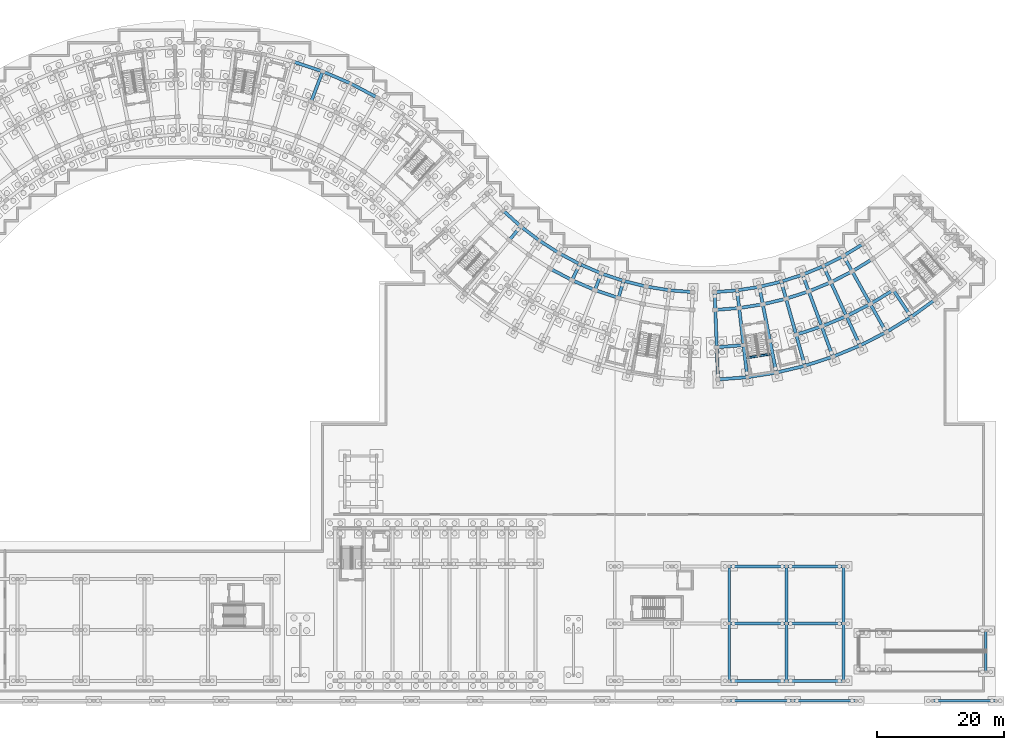
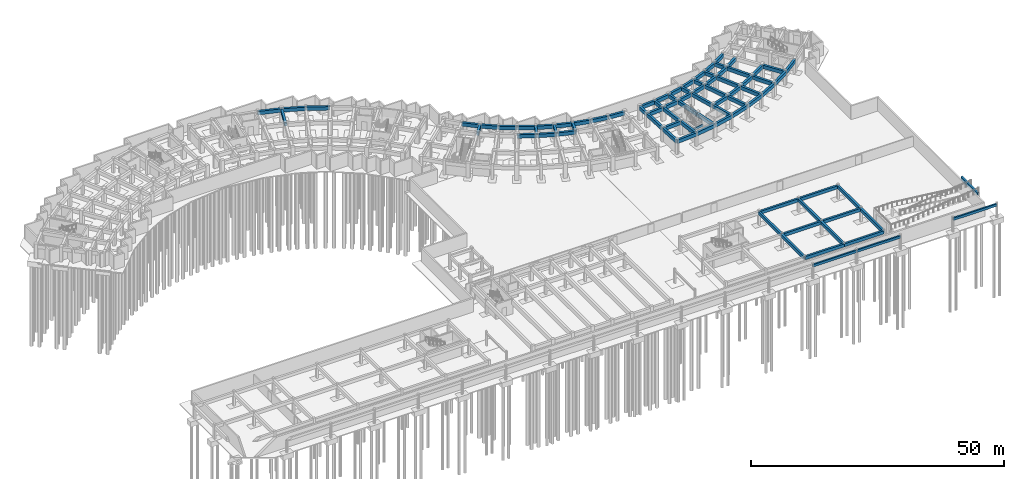
# One storey, part 14 of 32: 86 beams.
"""IFC4 building model written with IfcOpenShell, lengths in metres."""

from ifc_helpers import new_model, si_unit, direction, frame, origin, origin_2d, place, context, subcontext, project, spatial, rectangle, extrude, material, material_profile, profile_set, type_object, element, save


model = new_model("IFC4")

# Units and contexts
model_context = context("Model", 3, precision=1e-05, world=origin(), true_north=direction((0.0, 1.0)))
body_context = subcontext(model_context, "Body", "Model", "MODEL_VIEW")
ifc_project = project(units=[si_unit("LENGTHUNIT", "METRE"), si_unit("AREAUNIT", "SQUARE_METRE"), si_unit("VOLUMEUNIT", "CUBIC_METRE"), si_unit("PLANEANGLEUNIT", "RADIAN"), si_unit("MASSUNIT", "GRAM", prefix="KILO")], contexts=[model_context])

# Site, building, storey
site_placement = place(None, origin())
site = spatial("IfcSite", under=ifc_project, at=site_placement, CompositionType="ELEMENT")
building_placement = place(site_placement, origin())
building = spatial("IfcBuilding", under=site, at=building_placement, Name="Zimvara Arc Housing Community", CompositionType="ELEMENT")
storey_placement = place(building_placement, frame((0.0, 0.0, -3.60009765625)))
storey = spatial("IfcBuildingStorey", under=building, at=storey_placement, Name="B1", CompositionType="ELEMENT", Elevation=-3.60009765625)

# Beams
ifc_material_1 = material(Name="Concrete C40/50", Category="concrete")
ifc_material_profile_1 = material_profile(ifc_material_1, rectangle(XDim=0.300048828125, YDim=0.5, at=origin_2d()), Name="RC 300x500")
ifc_profile_set_1 = profile_set([ifc_material_profile_1], Name="Concrete C40/50")
beam_type_1 = type_object("IfcBeamType", Name="BM-RC-300x500", PredefinedType="BEAM", material=ifc_profile_set_1)
beam_1_placement = place(storey_placement, frame((132.899169921875, 54.451904296875, 1.550048828125), z_axis=(0.987823881982, 0.155576277709, 0.0), x_axis=(-0.155576277709, 0.987823881982, 0.0)))
element("IfcBeam", 1, at=beam_1_placement, inside=storey, type_object=beam_type_1, Name="bm:stair_trim:ST-D1:B1:mid", PredefinedType="BEAM", context=body_context, shape_type="SweptSolid", body=[
    extrude(rectangle(XDim=0.300048828125, YDim=0.5, at=origin_2d()), origin(), (0.0, 0.0, 1.0), 3.570068359375),
])
ifc_material_2 = material(Name="Concrete C40/50", Category="concrete")
ifc_material_profile_2 = material_profile(ifc_material_2, rectangle(XDim=0.35009765625, YDim=0.60009765625, at=origin_2d()), Name="RC 350x600")
ifc_profile_set_2 = profile_set([ifc_material_profile_2], Name="Concrete C40/50")
beam_type_2 = type_object("IfcBeamType", Name="BM-RC-350x600", PredefinedType="BEAM", material=ifc_profile_set_2)
for number, where, z_axis, x_axis, name in (
    (2, (130.0, 0.449951171875, 3.0), (1.0, 0.0, 0.0), (0.0, 1.0, 0.0), "bm:colonnade:B1:s1:130"),
    (3, (140.0, 0.449951171875, 3.0), (1.0, 0.0, 0.0), (0.0, 1.0, 0.0), "bm:colonnade:B1:s1:140"),
    (4, (162.0, 0.449951171875, 3.0), (1.0, 0.0, 0.0), (0.0, 1.0, 0.0), "bm:colonnade:B1:s2:162"),
):
    element("IfcBeam", number, at=place(storey_placement, frame(where, z_axis=z_axis, x_axis=x_axis)), inside=storey, type_object=beam_type_2, Name=name, PredefinedType="BEAM", context=body_context, shape_type="SweptSolid", body=[
        extrude(rectangle(XDim=0.35009765625, YDim=0.60009765625, at=origin_2d()), origin(), (0.0, 0.0, 1.0), 10.0),
    ])
ifc_material_3 = material(Name="Concrete C40/50", Category="concrete")
ifc_material_profile_3 = material_profile(ifc_material_3, rectangle(XDim=0.39990234375, YDim=0.699951171875, at=origin_2d()), Name="RC 400x700")
ifc_profile_set_3 = profile_set([ifc_material_profile_3], Name="Concrete C40/50")
beam_type_3 = type_object("IfcBeamType", Name="BM-RC-400x700", PredefinedType="BEAM", material=ifc_profile_set_3)
beam_2_placement = place(storey_placement, frame((170.3798828125, 5.0, 3.35009765625), z_axis=(0.0, 1.0, 0.0), x_axis=(-1.0, 0.0, 0.0)))
element("IfcBeam", 5, at=beam_2_placement, inside=storey, type_object=beam_type_3, Name="bm:B1:ramp_top_hdr", PredefinedType="BEAM", context=body_context, shape_type="SweptSolid", body=[
    extrude(rectangle(XDim=0.39990234375, YDim=0.699951171875, at=origin_2d()), origin(), (0.0, 0.0, 1.0), 6.5),
])
ifc_material_4 = material(Name="Concrete C40/50", Category="concrete")
ifc_material_profile_4 = material_profile(ifc_material_4, rectangle(XDim=0.449951171875, YDim=0.75, at=origin_2d()), Name="RC 450x750")
ifc_profile_set_4 = profile_set([ifc_material_profile_4], Name="Concrete C40/50")
beam_type_4 = type_object("IfcBeamType", Name="BM-RC-450x750", PredefinedType="BEAM", material=ifc_profile_set_4)
for number, where, z_axis, x_axis, name in (
    (6, (130.0, 3.60009765625, 2.925048828125), (1.0, 0.0, 0.0), (0.0, 1.0, 0.0), "bm:nursery:B1:x:y0:b2"),
    (7, (139.0, 3.60009765625, 2.925048828125), (1.0, 0.0, 0.0), (0.0, 1.0, 0.0), "bm:nursery:B1:x:y0:b3"),
    (8, (130.0, 12.60009765625, 2.925048828125), (1.0, 0.0, 0.0), (0.0, 1.0, 0.0), "bm:nursery:B1:x:y1:b2"),
    (9, (139.0, 12.60009765625, 2.925048828125), (1.0, 0.0, 0.0), (0.0, 1.0, 0.0), "bm:nursery:B1:x:y1:b3"),
    (10, (130.0, 21.60009765625, 2.925048828125), (1.0, 0.0, 0.0), (0.0, 1.0, 0.0), "bm:nursery:B1:x:y2:b2"),
    (11, (139.0, 21.60009765625, 2.925048828125), (1.0, 0.0, 0.0), (0.0, 1.0, 0.0), "bm:nursery:B1:x:y2:b3"),
    (12, (130.0, 3.60009765625, 2.925048828125), (0.0, 1.0, 0.0), (-1.0, 0.0, 0.0), "bm:nursery:B1:y:x2:b0"),
    (13, (130.0, 12.60009765625, 2.925048828125), (0.0, 1.0, 0.0), (-1.0, 0.0, 0.0), "bm:nursery:B1:y:x2:b1"),
    (14, (139.0, 3.60009765625, 2.925048828125), (0.0, 1.0, 0.0), (-1.0, 0.0, 0.0), "bm:nursery:B1:y:x3:b0"),
    (15, (139.0, 12.60009765625, 2.925048828125), (0.0, 1.0, 0.0), (-1.0, 0.0, 0.0), "bm:nursery:B1:y:x3:b1"),
    (16, (148.0, 3.60009765625, 2.925048828125), (0.0, 1.0, 0.0), (-1.0, 0.0, 0.0), "bm:nursery:B1:y:x4:b0"),
    (17, (148.0, 12.60009765625, 2.925048828125), (0.0, 1.0, 0.0), (-1.0, 0.0, 0.0), "bm:nursery:B1:y:x4:b1"),
):
    element("IfcBeam", number, at=place(storey_placement, frame(where, z_axis=z_axis, x_axis=x_axis)), inside=storey, type_object=beam_type_4, Name=name, PredefinedType="BEAM", context=body_context, shape_type="SweptSolid", body=[
        extrude(rectangle(XDim=0.449951171875, YDim=0.75, at=origin_2d()), origin(), (0.0, 0.0, 1.0), 9.0),
    ])
ifc_material_5 = material(Name="Concrete C40/50", Category="concrete")
ifc_material_profile_5 = material_profile(ifc_material_5, rectangle(XDim=0.5, YDim=0.85009765625, at=origin_2d()), Name="RC 500x850")
ifc_profile_set_5 = profile_set([ifc_material_profile_5], Name="Concrete C40/50")
beam_type_5 = type_object("IfcBeamType", Name="BM-RC-500x850", PredefinedType="BEAM", material=ifc_profile_set_5)
beam_3_placement = place(storey_placement, frame((61.466552734375, 101.030517578125, 2.875), z_axis=(0.947877948153, -0.31863363822, 0.0), x_axis=(0.31863363822, 0.947877948153, 0.0)))
element("IfcBeam", 18, at=beam_3_placement, inside=storey, type_object=beam_type_5, Name="bm:blkB:B1:chord:r3:b3", PredefinedType="BEAM", context=body_context, shape_type="SweptSolid", body=[
    extrude(rectangle(XDim=0.5, YDim=0.85009765625, at=origin_2d()), origin(), (0.0, 0.0, 1.0), 4.807861328125),
])
beam_4_placement = place(storey_placement, frame((66.02392578125, 99.49853515625, 2.875), z_axis=(0.918724276228, -0.394899612901, 0.0), x_axis=(0.394899612901, 0.918724276228, 0.0)))
element("IfcBeam", 19, at=beam_4_placement, inside=storey, type_object=beam_type_5, Name="bm:blkB:B1:chord:r3:b4", PredefinedType="BEAM", context=body_context, shape_type="SweptSolid", body=[
    extrude(rectangle(XDim=0.5, YDim=0.85009765625, at=origin_2d()), origin(), (0.0, 0.0, 1.0), 4.80810546875),
])
beam_5_placement = place(storey_placement, frame((70.441162109375, 97.599853515625, 2.875), z_axis=(0.883445542299, -0.468533855546, 0.0), x_axis=(0.468533855546, 0.883445542299, 0.0)))
element("IfcBeam", 20, at=beam_5_placement, inside=storey, type_object=beam_type_5, Name="bm:blkB:B1:chord:r3:b5", PredefinedType="BEAM", context=body_context, shape_type="SweptSolid", body=[
    extrude(rectangle(XDim=0.5, YDim=0.85009765625, at=origin_2d()), origin(), (0.0, 0.0, 1.0), 4.807861328125),
])
beam_6_placement = place(storey_placement, frame((64.2099609375, 94.75341796875, 2.875), z_axis=(0.357078271386, 0.934074466038, 0.0), x_axis=(-0.934074466038, 0.357078271386, 0.0)))
element("IfcBeam", 21, at=beam_6_placement, inside=storey, type_object=beam_type_5, Name="bm:blkB:B1:rad:b4:r23", PredefinedType="BEAM", context=body_context, shape_type="SweptSolid", body=[
    extrude(rectangle(XDim=0.5, YDim=0.85009765625, at=origin_2d()), origin(), (0.0, 0.0, 1.0), 5.080078125),
])
for number, where, z_axis, x_axis, name in (
    (22, (94.456298828125, 77.578857421875, 2.875), (0.743366631239, -0.668884183966, 0.0), (0.668884183966, 0.743366631239, 0.0), "bm:blkC:B1:chord:r0:b1"),
    (23, (97.195068359375, 75.114501953125, 2.875), (0.795484955371, -0.605973337515, 0.0), (0.605973337515, 0.795484955371, 0.0), "bm:blkC:B1:chord:r0:b2"),
    (24, (100.1259765625, 72.8818359375, 2.875), (0.842272604079, -0.539051816079, 0.0), (0.539051816079, 0.842272604079, 0.0), "bm:blkC:B1:chord:r0:b3"),
):
    element("IfcBeam", number, at=place(storey_placement, frame(where, z_axis=z_axis, x_axis=x_axis)), inside=storey, type_object=beam_type_5, Name=name, PredefinedType="BEAM", context=body_context, shape_type="SweptSolid", body=[
        extrude(rectangle(XDim=0.5, YDim=0.85009765625, at=origin_2d()), origin(), (0.0, 0.0, 1.0), 3.684326171875),
    ])
for number, where, z_axis, x_axis, name in (
    (25, (103.229248046875, 70.895751953125, 2.875), (0.883449220086, -0.468526920815, 0.0), (0.468526920815, 0.883449220086, 0.0), "bm:blkC:B1:chord:r0:b4"),
    (26, (106.484375, 69.16943359375, 2.875), (0.918716071386, -0.394918700718, 0.0), (0.394918700718, 0.918716071386, 0.0), "bm:blkC:B1:chord:r0:b5"),
):
    element("IfcBeam", number, at=place(storey_placement, frame(where, z_axis=z_axis, x_axis=x_axis)), inside=storey, type_object=beam_type_5, Name=name, PredefinedType="BEAM", context=body_context, shape_type="SweptSolid", body=[
        extrude(rectangle(XDim=0.5, YDim=0.85009765625, at=origin_2d()), origin(), (0.0, 0.0, 1.0), 3.6845703125),
    ])
beam_7_placement = place(storey_placement, frame((109.869384765625, 67.71435546875, 2.875), z_axis=(0.947865078275, -0.31867192124, 0.0), x_axis=(0.31867192124, 0.947865078275, 0.0)))
element("IfcBeam", 27, at=beam_7_placement, inside=storey, type_object=beam_type_5, Name="bm:blkC:B1:chord:r0:b6", PredefinedType="BEAM", context=body_context, shape_type="SweptSolid", body=[
    extrude(rectangle(XDim=0.5, YDim=0.85009765625, at=origin_2d()), origin(), (0.0, 0.0, 1.0), 3.684326171875),
])
beam_8_placement = place(storey_placement, frame((113.361572265625, 66.540283203125, 2.875), z_axis=(0.970724337693, -0.240196295163, 0.0), x_axis=(0.240196295163, 0.970724337693, 0.0)))
element("IfcBeam", 28, at=beam_8_placement, inside=storey, type_object=beam_type_5, Name="bm:blkC:B1:chord:r0:b7", PredefinedType="BEAM", context=body_context, shape_type="SweptSolid", body=[
    extrude(rectangle(XDim=0.5, YDim=0.85009765625, at=origin_2d()), origin(), (0.0, 0.0, 1.0), 3.6845703125),
])
beam_9_placement = place(storey_placement, frame((116.938232421875, 65.6552734375, 2.875), z_axis=(0.987079996944, -0.160228211104, 0.0), x_axis=(0.160228211104, 0.987079996944, 0.0)))
element("IfcBeam", 29, at=beam_9_placement, inside=storey, type_object=beam_type_5, Name="bm:blkC:B1:chord:r0:b8", PredefinedType="BEAM", context=body_context, shape_type="SweptSolid", body=[
    extrude(rectangle(XDim=0.5, YDim=0.85009765625, at=origin_2d()), origin(), (0.0, 0.0, 1.0), 3.684326171875),
])
beam_10_placement = place(storey_placement, frame((120.574951171875, 65.06494140625, 2.875), z_axis=(0.996860413745, -0.079179009267, 0.0), x_axis=(0.079179009267, 0.996860413745, 0.0)))
element("IfcBeam", 30, at=beam_10_placement, inside=storey, type_object=beam_type_5, Name="bm:blkC:B1:chord:r0:b9", PredefinedType="BEAM", context=body_context, shape_type="SweptSolid", body=[
    extrude(rectangle(XDim=0.5, YDim=0.85009765625, at=origin_2d()), origin(), (0.0, 0.0, 1.0), 3.6845703125),
])
for number, where, z_axis, x_axis, name in (
    (31, (101.8173828125, 68.4775390625, 2.875), (0.883464449706, -0.468498202884, 0.0), (0.468498202884, 0.883464449706, 0.0), "bm:blkC:B1:chord:r1:b4"),
    (32, (105.2744140625, 66.644287109375, 2.875), (0.918708805961, -0.394935602155, 0.0), (0.394935602155, 0.918708805961, 0.0), "bm:blkC:B1:chord:r1:b5"),
    (33, (108.869384765625, 65.098876953125, 2.875), (0.947881689069, -0.31862250945, 0.0), (0.31862250945, 0.947881689069, 0.0), "bm:blkC:B1:chord:r1:b6"),
):
    element("IfcBeam", number, at=place(storey_placement, frame(where, z_axis=z_axis, x_axis=x_axis)), inside=storey, type_object=beam_type_5, Name=name, PredefinedType="BEAM", context=body_context, shape_type="SweptSolid", body=[
        extrude(rectangle(XDim=0.5, YDim=0.85009765625, at=origin_2d()), origin(), (0.0, 0.0, 1.0), 3.9130859375),
    ])
for number, where, z_axis, x_axis, name in (
    (34, (97.195068359375, 75.114501953125, 2.875), (-0.637917412223, -0.770104781951, 0.0), (0.770104781951, -0.637917412223, 0.0), "bm:blkC:B1:rad:b2:r01"),
    (35, (106.484375, 69.16943359375, 2.875), (-0.432118703138, -0.901816736593, 0.0), (0.901816736593, -0.432118703138, 0.0), "bm:blkC:B1:rad:b5:r01"),
    (36, (109.869384765625, 67.71435546875, 2.875), (-0.357126279724, -0.934056111982, 0.0), (0.934056111982, -0.357126279724, 0.0), "bm:blkC:B1:rad:b6:r01"),
    (37, (113.361572265625, 66.540283203125, 2.875), (-0.279635015525, -0.960106378529, 0.0), (0.960106378529, -0.279635015525, 0.0), "bm:blkC:B1:rad:b7:r01"),
):
    element("IfcBeam", number, at=place(storey_placement, frame(where, z_axis=z_axis, x_axis=x_axis)), inside=storey, type_object=beam_type_5, Name=name, PredefinedType="BEAM", context=body_context, shape_type="SweptSolid", body=[
        extrude(rectangle(XDim=0.5, YDim=0.85009765625, at=origin_2d()), origin(), (0.0, 0.0, 1.0), 2.800048828125),
    ])
beam_11_placement = place(storey_placement, frame((127.712158203125, 64.773193359375, 2.875), z_axis=(0.996984758472, 0.077597624804, 0.0), x_axis=(-0.077597624804, 0.996984758472, 0.0)))
element("IfcBeam", 38, at=beam_11_placement, inside=storey, type_object=beam_type_5, Name="bm:blkD:B1:chord:r0:b0", PredefinedType="BEAM", context=body_context, shape_type="SweptSolid", body=[
    extrude(rectangle(XDim=0.5, YDim=0.85009765625, at=origin_2d()), origin(), (0.0, 0.0, 1.0), 3.542724609375),
])
beam_12_placement = place(storey_placement, frame((131.244140625, 65.048095703125, 2.875), z_axis=(0.98782044699, 0.155598086453, 0.0), x_axis=(-0.155598086453, 0.98782044699, 0.0)))
element("IfcBeam", 39, at=beam_12_placement, inside=storey, type_object=beam_type_5, Name="bm:blkD:B1:chord:r0:b1", PredefinedType="BEAM", context=body_context, shape_type="SweptSolid", body=[
    extrude(rectangle(XDim=0.5, YDim=0.85009765625, at=origin_2d()), origin(), (0.0, 0.0, 1.0), 3.54296875),
])
for number, where, z_axis, x_axis, name in (
    (40, (134.743896484375, 65.599365234375, 2.875), (0.972576519525, 0.232583132813, 0.0), (-0.232583132813, 0.972576519525, 0.0), "bm:blkD:B1:chord:r0:b2"),
    (41, (138.189453125, 66.42333984375, 2.875), (0.951329887165, 0.308174375618, 0.0), (-0.308174375618, 0.951329887165, 0.0), "bm:blkD:B1:chord:r0:b3"),
):
    element("IfcBeam", number, at=place(storey_placement, frame(where, z_axis=z_axis, x_axis=x_axis)), inside=storey, type_object=beam_type_5, Name=name, PredefinedType="BEAM", context=body_context, shape_type="SweptSolid", body=[
        extrude(rectangle(XDim=0.5, YDim=0.85009765625, at=origin_2d()), origin(), (0.0, 0.0, 1.0), 3.542724609375),
    ])
beam_13_placement = place(storey_placement, frame((141.559814453125, 67.51513671875, 2.875), z_axis=(0.924206445561, 0.381893238987, 0.0), x_axis=(-0.381893238987, 0.924206445561, 0.0)))
element("IfcBeam", 42, at=beam_13_placement, inside=storey, type_object=beam_type_5, Name="bm:blkD:B1:chord:r0:b4", PredefinedType="BEAM", context=body_context, shape_type="SweptSolid", body=[
    extrude(rectangle(XDim=0.5, YDim=0.85009765625, at=origin_2d()), origin(), (0.0, 0.0, 1.0), 3.54296875),
])
beam_14_placement = place(storey_placement, frame((144.834228515625, 68.8681640625, 2.875), z_axis=(0.891388433472, 0.453240179895, 0.0), x_axis=(-0.453240179895, 0.891388433472, 0.0)))
element("IfcBeam", 43, at=beam_14_placement, inside=storey, type_object=beam_type_5, Name="bm:blkD:B1:chord:r0:b5", PredefinedType="BEAM", context=body_context, shape_type="SweptSolid", body=[
    extrude(rectangle(XDim=0.5, YDim=0.85009765625, at=origin_2d()), origin(), (0.0, 0.0, 1.0), 3.542724609375),
])
beam_15_placement = place(storey_placement, frame((147.9921875, 70.473876953125, 2.875), z_axis=(0.853114855616, 0.52172314797, 0.0), x_axis=(-0.52172314797, 0.853114855616, 0.0)))
element("IfcBeam", 44, at=beam_15_placement, inside=storey, type_object=beam_type_5, Name="bm:blkD:B1:chord:r0:b6", PredefinedType="BEAM", context=body_context, shape_type="SweptSolid", body=[
    extrude(rectangle(XDim=0.5, YDim=0.85009765625, at=origin_2d()), origin(), (0.0, 0.0, 1.0), 3.54296875),
])
beam_16_placement = place(storey_placement, frame((127.819580078125, 61.975341796875, 2.875), z_axis=(0.996984223393, 0.077604499263, 0.0), x_axis=(-0.077604499263, 0.996984223393, 0.0)))
element("IfcBeam", 45, at=beam_16_placement, inside=storey, type_object=beam_type_5, Name="bm:blkD:B1:chord:r1:b0", PredefinedType="BEAM", context=body_context, shape_type="SweptSolid", body=[
    extrude(rectangle(XDim=0.5, YDim=0.85009765625, at=origin_2d()), origin(), (0.0, 0.0, 1.0), 3.762451171875),
])
beam_17_placement = place(storey_placement, frame((131.57080078125, 62.267333984375, 2.875), z_axis=(0.987830739488, 0.155532730068, 0.0), x_axis=(-0.155532730068, 0.987830739488, 0.0)))
element("IfcBeam", 46, at=beam_17_placement, inside=storey, type_object=beam_type_5, Name="bm:blkD:B1:chord:r1:b1", PredefinedType="BEAM", context=body_context, shape_type="SweptSolid", body=[
    extrude(rectangle(XDim=0.5, YDim=0.85009765625, at=origin_2d()), origin(), (0.0, 0.0, 1.0), 3.7626953125),
])
beam_18_placement = place(storey_placement, frame((135.28759765625, 62.8525390625, 2.875), z_axis=(0.97257251046, 0.232599896598, 0.0), x_axis=(-0.232599896598, 0.97257251046, 0.0)))
element("IfcBeam", 47, at=beam_18_placement, inside=storey, type_object=beam_type_5, Name="bm:blkD:B1:chord:r1:b2", PredefinedType="BEAM", context=body_context, shape_type="SweptSolid", body=[
    extrude(rectangle(XDim=0.5, YDim=0.85009765625, at=origin_2d()), origin(), (0.0, 0.0, 1.0), 3.762939453125),
])
beam_19_placement = place(storey_placement, frame((138.947265625, 63.727783203125, 2.875), z_axis=(0.951316439628, 0.308215884881, 0.0), x_axis=(-0.308215884881, 0.951316439628, 0.0)))
element("IfcBeam", 48, at=beam_19_placement, inside=storey, type_object=beam_type_5, Name="bm:blkD:B1:chord:r1:b3", PredefinedType="BEAM", context=body_context, shape_type="SweptSolid", body=[
    extrude(rectangle(XDim=0.5, YDim=0.85009765625, at=origin_2d()), origin(), (0.0, 0.0, 1.0), 3.762451171875),
])
for number, where, z_axis, x_axis, name in (
    (49, (142.526611328125, 64.887451171875, 2.875), (0.924224591922, 0.381849320658, 0.0), (-0.381849320658, 0.924224591922, 0.0), "bm:blkD:B1:chord:r1:b4"),
    (50, (146.004150390625, 66.32421875, 2.875), (0.891396237924, 0.453224830536, 0.0), (-0.453224830536, 0.891396237924, 0.0), "bm:blkD:B1:chord:r1:b5"),
    (51, (149.358154296875, 68.029541015625, 2.875), (0.853105356478, 0.521738680517, 0.0), (-0.521738680517, 0.853105356478, 0.0), "bm:blkD:B1:chord:r1:b6"),
):
    element("IfcBeam", number, at=place(storey_placement, frame(where, z_axis=z_axis, x_axis=x_axis)), inside=storey, type_object=beam_type_5, Name=name, PredefinedType="BEAM", context=body_context, shape_type="SweptSolid", body=[
        extrude(rectangle(XDim=0.5, YDim=0.85009765625, at=origin_2d()), origin(), (0.0, 0.0, 1.0), 3.7626953125),
    ])
for number, where, z_axis, x_axis, name in (
    (52, (128.045166015625, 56.099609375, 2.875), (0.996983350574, 0.077615711543, 0.0), (-0.077615711543, 0.996983350574, 0.0), "bm:blkD:B1:chord:r2:b0"),
    (53, (140.538330078125, 58.067138671875, 2.875), (0.951319487454, 0.308206477528, 0.0), (-0.308206477528, 0.951319487454, 0.0), "bm:blkD:B1:chord:r2:b3"),
):
    element("IfcBeam", number, at=place(storey_placement, frame(where, z_axis=z_axis, x_axis=x_axis)), inside=storey, type_object=beam_type_5, Name=name, PredefinedType="BEAM", context=body_context, shape_type="SweptSolid", body=[
        extrude(rectangle(XDim=0.5, YDim=0.85009765625, at=origin_2d()), origin(), (0.0, 0.0, 1.0), 4.224365234375),
    ])
beam_20_placement = place(storey_placement, frame((144.55712890625, 59.369140625, 2.875), z_axis=(0.924220191381, 0.381859971512, 0.0), x_axis=(-0.381859971512, 0.924220191381, 0.0)))
element("IfcBeam", 54, at=beam_20_placement, inside=storey, type_object=beam_type_5, Name="bm:blkD:B1:chord:r2:b4", PredefinedType="BEAM", context=body_context, shape_type="SweptSolid", body=[
    extrude(rectangle(XDim=0.5, YDim=0.85009765625, at=origin_2d()), origin(), (0.0, 0.0, 1.0), 4.22412109375),
])
for number, where, z_axis, x_axis, name in (
    (55, (148.461181640625, 60.982177734375, 2.875), (0.891401751243, 0.453213986855, 0.0), (-0.453213986855, 0.891401751243, 0.0), "bm:blkD:B1:chord:r2:b5"),
    (56, (152.226806640625, 62.896728515625, 2.875), (0.853091772331, 0.521760891579, 0.0), (-0.521760891579, 0.853091772331, 0.0), "bm:blkD:B1:chord:r2:b6"),
):
    element("IfcBeam", number, at=place(storey_placement, frame(where, z_axis=z_axis, x_axis=x_axis)), inside=storey, type_object=beam_type_5, Name=name, PredefinedType="BEAM", context=body_context, shape_type="SweptSolid", body=[
        extrude(rectangle(XDim=0.5, YDim=0.85009765625, at=origin_2d()), origin(), (0.0, 0.0, 1.0), 4.224365234375),
    ])
for number, where, z_axis, x_axis, name in (
    (57, (128.240234375, 51.0234375, 2.875), (0.996986694494, 0.077572746515, 0.0), (-0.077572746515, 0.996986694494, 0.0), "bm:blkD:B1:chord:r3:b0"),
    (58, (132.849609375, 51.382080078125, 2.875), (0.987824544931, 0.155572068287, 0.0), (-0.155572068287, 0.987824544931, 0.0), "bm:blkD:B1:chord:r3:b1"),
):
    element("IfcBeam", number, at=place(storey_placement, frame(where, z_axis=z_axis, x_axis=x_axis)), inside=storey, type_object=beam_type_5, Name=name, PredefinedType="BEAM", context=body_context, shape_type="SweptSolid", body=[
        extrude(rectangle(XDim=0.5, YDim=0.85009765625, at=origin_2d()), origin(), (0.0, 0.0, 1.0), 4.623291015625),
    ])
beam_21_placement = place(storey_placement, frame((137.41650390625, 52.101318359375, 2.875), z_axis=(0.972567724572, 0.232619906974, 0.0), x_axis=(-0.232619906974, 0.972567724572, 0.0)))
element("IfcBeam", 59, at=beam_21_placement, inside=storey, type_object=beam_type_5, Name="bm:blkD:B1:chord:r3:b2", PredefinedType="BEAM", context=body_context, shape_type="SweptSolid", body=[
    extrude(rectangle(XDim=0.5, YDim=0.85009765625, at=origin_2d()), origin(), (0.0, 0.0, 1.0), 4.623046875),
])
beam_22_placement = place(storey_placement, frame((141.912841796875, 53.1767578125, 2.875), z_axis=(0.951331650007, 0.308168933695, 0.0), x_axis=(-0.308168933695, 0.951331650007, 0.0)))
element("IfcBeam", 60, at=beam_22_placement, inside=storey, type_object=beam_type_5, Name="bm:blkD:B1:chord:r3:b3", PredefinedType="BEAM", context=body_context, shape_type="SweptSolid", body=[
    extrude(rectangle(XDim=0.5, YDim=0.85009765625, at=origin_2d()), origin(), (0.0, 0.0, 1.0), 4.62353515625),
])
beam_23_placement = place(storey_placement, frame((146.311279296875, 54.6015625, 2.875), z_axis=(0.924218077134, 0.38186508861, 0.0), x_axis=(-0.38186508861, 0.924218077134, 0.0)))
element("IfcBeam", 61, at=beam_23_placement, inside=storey, type_object=beam_type_5, Name="bm:blkD:B1:chord:r3:b4", PredefinedType="BEAM", context=body_context, shape_type="SweptSolid", body=[
    extrude(rectangle(XDim=0.5, YDim=0.85009765625, at=origin_2d()), origin(), (0.0, 0.0, 1.0), 4.623046875),
])
for number, where, z_axis, x_axis, name in (
    (62, (150.583984375, 56.366943359375, 2.875), (0.891386215037, 0.453244542871, 0.0), (-0.453244542871, 0.891386215037, 0.0), "bm:blkD:B1:chord:r3:b5"),
    (63, (154.705078125, 58.46240234375, 2.875), (0.853105562062, 0.521738344363, 0.0), (-0.521738344363, 0.853105562062, 0.0), "bm:blkD:B1:chord:r3:b6"),
    (64, (158.649169921875, 60.87451171875, 2.875), (0.809516329672, 0.587097361598, 0.0), (-0.587097361598, 0.809516329672, 0.0), "bm:blkD:B1:chord:r3:b7"),
):
    element("IfcBeam", number, at=place(storey_placement, frame(where, z_axis=z_axis, x_axis=x_axis)), inside=storey, type_object=beam_type_5, Name=name, PredefinedType="BEAM", context=body_context, shape_type="SweptSolid", body=[
        extrude(rectangle(XDim=0.5, YDim=0.85009765625, at=origin_2d()), origin(), (0.0, 0.0, 1.0), 4.623291015625),
    ])
beam_24_placement = place(storey_placement, frame((127.712158203125, 64.773193359375, 2.875), z_axis=(0.038366147405, -0.999263748333, 0.0), x_axis=(0.999263748333, 0.038366147405, 0.0)))
element("IfcBeam", 65, at=beam_24_placement, inside=storey, type_object=beam_type_5, Name="bm:blkD:B1:rad:b0:r01", PredefinedType="BEAM", context=body_context, shape_type="SweptSolid", body=[
    extrude(rectangle(XDim=0.5, YDim=0.85009765625, at=origin_2d()), origin(), (0.0, 0.0, 1.0), 2.7998046875),
])
beam_25_placement = place(storey_placement, frame((127.819580078125, 61.975341796875, 2.875), z_axis=(0.038364555613, -0.999263809448, 0.0), x_axis=(0.999263809448, 0.038364555613, 0.0)))
element("IfcBeam", 66, at=beam_25_placement, inside=storey, type_object=beam_type_5, Name="bm:blkD:B1:rad:b0:r12", PredefinedType="BEAM", context=body_context, shape_type="SweptSolid", body=[
    extrude(rectangle(XDim=0.5, YDim=0.85009765625, at=origin_2d()), origin(), (0.0, 0.0, 1.0), 5.880126953125),
])
beam_26_placement = place(storey_placement, frame((128.045166015625, 56.099609375, 2.875), z_axis=(0.038399898954, -0.999262451892, 0.0), x_axis=(0.999262451892, 0.038399898954, 0.0)))
element("IfcBeam", 67, at=beam_26_placement, inside=storey, type_object=beam_type_5, Name="bm:blkD:B1:rad:b0:r23", PredefinedType="BEAM", context=body_context, shape_type="SweptSolid", body=[
    extrude(rectangle(XDim=0.5, YDim=0.85009765625, at=origin_2d()), origin(), (0.0, 0.0, 1.0), 5.079833984375),
])
beam_27_placement = place(storey_placement, frame((131.244140625, 65.048095703125, 2.875), z_axis=(0.116669233141, -0.993170826212, 0.0), x_axis=(0.993170826212, 0.116669233141, 0.0)))
element("IfcBeam", 68, at=beam_27_placement, inside=storey, type_object=beam_type_5, Name="bm:blkD:B1:rad:b1:r01", PredefinedType="BEAM", context=body_context, shape_type="SweptSolid", body=[
    extrude(rectangle(XDim=0.5, YDim=0.85009765625, at=origin_2d()), origin(), (0.0, 0.0, 1.0), 2.7998046875),
])
beam_28_placement = place(storey_placement, frame((131.57080078125, 62.267333984375, 2.875), z_axis=(0.116672613124, -0.993170429154, 0.0), x_axis=(0.993170429154, 0.116672613124, 0.0)))
element("IfcBeam", 69, at=beam_28_placement, inside=storey, type_object=beam_type_5, Name="bm:blkD:B1:rad:b1:r12", PredefinedType="BEAM", context=body_context, shape_type="SweptSolid", body=[
    extrude(rectangle(XDim=0.5, YDim=0.85009765625, at=origin_2d()), origin(), (0.0, 0.0, 1.0), 5.8798828125),
])
beam_29_placement = place(storey_placement, frame((132.2568359375, 56.427490234375, 2.875), z_axis=(0.116685098261, -0.993168962384, 0.0), x_axis=(0.993168962384, 0.116685098261, 0.0)))
element("IfcBeam", 70, at=beam_29_placement, inside=storey, type_object=beam_type_5, Name="bm:blkD:B1:rad:b1:r23", PredefinedType="BEAM", context=body_context, shape_type="SweptSolid", body=[
    extrude(rectangle(XDim=0.5, YDim=0.85009765625, at=origin_2d()), origin(), (0.0, 0.0, 1.0), 5.080078125),
])
beam_30_placement = place(storey_placement, frame((134.743896484375, 65.599365234375, 2.875), z_axis=(0.194170755423, -0.980967745514, 0.0), x_axis=(0.980967745514, 0.194170755423, 0.0)))
element("IfcBeam", 71, at=beam_30_placement, inside=storey, type_object=beam_type_5, Name="bm:blkD:B1:rad:b2:r01", PredefinedType="BEAM", context=body_context, shape_type="SweptSolid", body=[
    extrude(rectangle(XDim=0.5, YDim=0.85009765625, at=origin_2d()), origin(), (0.0, 0.0, 1.0), 2.800048828125),
])
beam_31_placement = place(storey_placement, frame((135.28759765625, 62.8525390625, 2.875), z_axis=(0.194239306935, -0.980954174078, 0.0), x_axis=(0.980954174078, 0.194239306935, 0.0)))
element("IfcBeam", 72, at=beam_31_placement, inside=storey, type_object=beam_type_5, Name="bm:blkD:B1:rad:b2:r12", PredefinedType="BEAM", context=body_context, shape_type="SweptSolid", body=[
    extrude(rectangle(XDim=0.5, YDim=0.85009765625, at=origin_2d()), origin(), (0.0, 0.0, 1.0), 5.8798828125),
])
beam_32_placement = place(storey_placement, frame((136.4296875, 57.084716796875, 2.875), z_axis=(0.194248925774, -0.980952269397, 0.0), x_axis=(0.980952269397, 0.194248925774, 0.0)))
element("IfcBeam", 73, at=beam_32_placement, inside=storey, type_object=beam_type_5, Name="bm:blkD:B1:rad:b2:r23", PredefinedType="BEAM", context=body_context, shape_type="SweptSolid", body=[
    extrude(rectangle(XDim=0.5, YDim=0.85009765625, at=origin_2d()), origin(), (0.0, 0.0, 1.0), 5.080078125),
])
beam_33_placement = place(storey_placement, frame((138.189453125, 66.42333984375, 2.875), z_axis=(0.270642050381, -0.962680050986, 0.0), x_axis=(0.962680050986, 0.270642050381, 0.0)))
element("IfcBeam", 74, at=beam_33_placement, inside=storey, type_object=beam_type_5, Name="bm:blkD:B1:rad:b3:r01", PredefinedType="BEAM", context=body_context, shape_type="SweptSolid", body=[
    extrude(rectangle(XDim=0.5, YDim=0.85009765625, at=origin_2d()), origin(), (0.0, 0.0, 1.0), 2.800048828125),
])
beam_34_placement = place(storey_placement, frame((138.947265625, 63.727783203125, 2.875), z_axis=(0.270589260785, -0.962694890372, 0.0), x_axis=(0.962694890372, 0.270589260785, 0.0)))
element("IfcBeam", 75, at=beam_34_placement, inside=storey, type_object=beam_type_5, Name="bm:blkD:B1:rad:b3:r12", PredefinedType="BEAM", context=body_context, shape_type="SweptSolid", body=[
    extrude(rectangle(XDim=0.5, YDim=0.85009765625, at=origin_2d()), origin(), (0.0, 0.0, 1.0), 5.8798828125),
])
beam_35_placement = place(storey_placement, frame((140.538330078125, 58.067138671875, 2.875), z_axis=(0.270579949442, -0.962697507507, 0.0), x_axis=(0.962697507507, 0.270579949442, 0.0)))
element("IfcBeam", 76, at=beam_35_placement, inside=storey, type_object=beam_type_5, Name="bm:blkD:B1:rad:b3:r23", PredefinedType="BEAM", context=body_context, shape_type="SweptSolid", body=[
    extrude(rectangle(XDim=0.5, YDim=0.85009765625, at=origin_2d()), origin(), (0.0, 0.0, 1.0), 5.079833984375),
])
beam_36_placement = place(storey_placement, frame((141.559814453125, 67.51513671875, 2.875), z_axis=(0.345297205079, -0.93849338845, 0.0), x_axis=(0.93849338845, 0.345297205079, 0.0)))
element("IfcBeam", 77, at=beam_36_placement, inside=storey, type_object=beam_type_5, Name="bm:blkD:B1:rad:b4:r01", PredefinedType="BEAM", context=body_context, shape_type="SweptSolid", body=[
    extrude(rectangle(XDim=0.5, YDim=0.85009765625, at=origin_2d()), origin(), (0.0, 0.0, 1.0), 2.7998046875),
])
beam_37_placement = place(storey_placement, frame((142.526611328125, 64.887451171875, 2.875), z_axis=(0.345324356241, -0.938483398354, 0.0), x_axis=(0.938483398354, 0.345324356241, 0.0)))
element("IfcBeam", 78, at=beam_37_placement, inside=storey, type_object=beam_type_5, Name="bm:blkD:B1:rad:b4:r12", PredefinedType="BEAM", context=body_context, shape_type="SweptSolid", body=[
    extrude(rectangle(XDim=0.5, YDim=0.85009765625, at=origin_2d()), origin(), (0.0, 0.0, 1.0), 5.880126953125),
])
beam_38_placement = place(storey_placement, frame((144.55712890625, 59.369140625, 2.875), z_axis=(0.345302219392, -0.938491543533, 0.0), x_axis=(0.938491543533, 0.345302219392, 0.0)))
element("IfcBeam", 79, at=beam_38_placement, inside=storey, type_object=beam_type_5, Name="bm:blkD:B1:rad:b4:r23", PredefinedType="BEAM", context=body_context, shape_type="SweptSolid", body=[
    extrude(rectangle(XDim=0.5, YDim=0.85009765625, at=origin_2d()), origin(), (0.0, 0.0, 1.0), 5.080078125),
])
beam_39_placement = place(storey_placement, frame((144.834228515625, 68.8681640625, 2.875), z_axis=(0.417819250126, -0.908530172435, 0.0), x_axis=(0.908530172435, 0.417819250126, 0.0)))
element("IfcBeam", 80, at=beam_39_placement, inside=storey, type_object=beam_type_5, Name="bm:blkD:B1:rad:b5:r01", PredefinedType="BEAM", context=body_context, shape_type="SweptSolid", body=[
    extrude(rectangle(XDim=0.5, YDim=0.85009765625, at=origin_2d()), origin(), (0.0, 0.0, 1.0), 2.800048828125),
])
beam_40_placement = place(storey_placement, frame((146.004150390625, 66.32421875, 2.875), z_axis=(0.417862428621, -0.908510314056, 0.0), x_axis=(0.908510314056, 0.417862428621, 0.0)))
element("IfcBeam", 81, at=beam_40_placement, inside=storey, type_object=beam_type_5, Name="bm:blkD:B1:rad:b5:r12", PredefinedType="BEAM", context=body_context, shape_type="SweptSolid", body=[
    extrude(rectangle(XDim=0.5, YDim=0.85009765625, at=origin_2d()), origin(), (0.0, 0.0, 1.0), 5.8798828125),
])
beam_41_placement = place(storey_placement, frame((148.461181640625, 60.982177734375, 2.875), z_axis=(0.417872288794, -0.90850577888, 0.0), x_axis=(0.90850577888, 0.417872288794, 0.0)))
element("IfcBeam", 82, at=beam_41_placement, inside=storey, type_object=beam_type_5, Name="bm:blkD:B1:rad:b5:r23", PredefinedType="BEAM", context=body_context, shape_type="SweptSolid", body=[
    extrude(rectangle(XDim=0.5, YDim=0.85009765625, at=origin_2d()), origin(), (0.0, 0.0, 1.0), 5.080078125),
])
beam_42_placement = place(storey_placement, frame((147.9921875, 70.473876953125, 2.875), z_axis=(0.487825265957, -0.87294129808, 0.0), x_axis=(0.87294129808, 0.487825265957, 0.0)))
element("IfcBeam", 83, at=beam_42_placement, inside=storey, type_object=beam_type_5, Name="bm:blkD:B1:rad:b6:r01", PredefinedType="BEAM", context=body_context, shape_type="SweptSolid", body=[
    extrude(rectangle(XDim=0.5, YDim=0.85009765625, at=origin_2d()), origin(), (0.0, 0.0, 1.0), 2.800048828125),
])
beam_43_placement = place(storey_placement, frame((149.358154296875, 68.029541015625, 2.875), z_axis=(0.487862302556, -0.872920599909, 0.0), x_axis=(0.872920599909, 0.487862302556, 0.0)))
element("IfcBeam", 84, at=beam_43_placement, inside=storey, type_object=beam_type_5, Name="bm:blkD:B1:rad:b6:r12", PredefinedType="BEAM", context=body_context, shape_type="SweptSolid", body=[
    extrude(rectangle(XDim=0.5, YDim=0.85009765625, at=origin_2d()), origin(), (0.0, 0.0, 1.0), 5.880126953125),
])
beam_44_placement = place(storey_placement, frame((152.226806640625, 62.896728515625, 2.875), z_axis=(0.48786121213, -0.872921209331, 0.0), x_axis=(0.872921209331, 0.48786121213, 0.0)))
element("IfcBeam", 85, at=beam_44_placement, inside=storey, type_object=beam_type_5, Name="bm:blkD:B1:rad:b6:r23", PredefinedType="BEAM", context=body_context, shape_type="SweptSolid", body=[
    extrude(rectangle(XDim=0.5, YDim=0.85009765625, at=origin_2d()), origin(), (0.0, 0.0, 1.0), 5.079833984375),
])
beam_45_placement = place(storey_placement, frame((155.83056640625, 65.100830078125, 2.875), z_axis=(0.554844365732, -0.83195416329, 0.0), x_axis=(0.83195416329, 0.554844365732, 0.0)))
element("IfcBeam", 86, at=beam_45_placement, inside=storey, type_object=beam_type_5, Name="bm:blkD:B1:rad:b7:r23", PredefinedType="BEAM", context=body_context, shape_type="SweptSolid", body=[
    extrude(rectangle(XDim=0.5, YDim=0.85009765625, at=origin_2d()), origin(), (0.0, 0.0, 1.0), 5.080078125),
])

save(model, "model.ifc")
